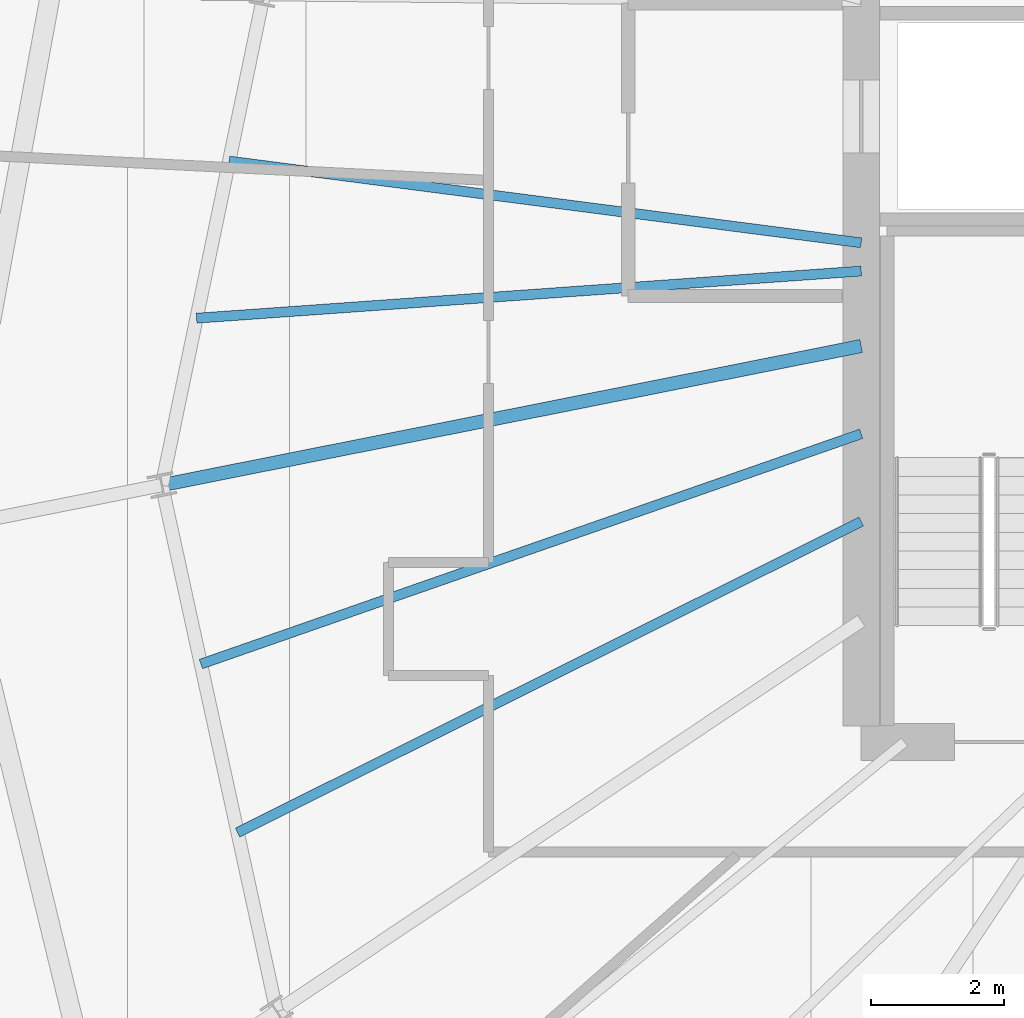
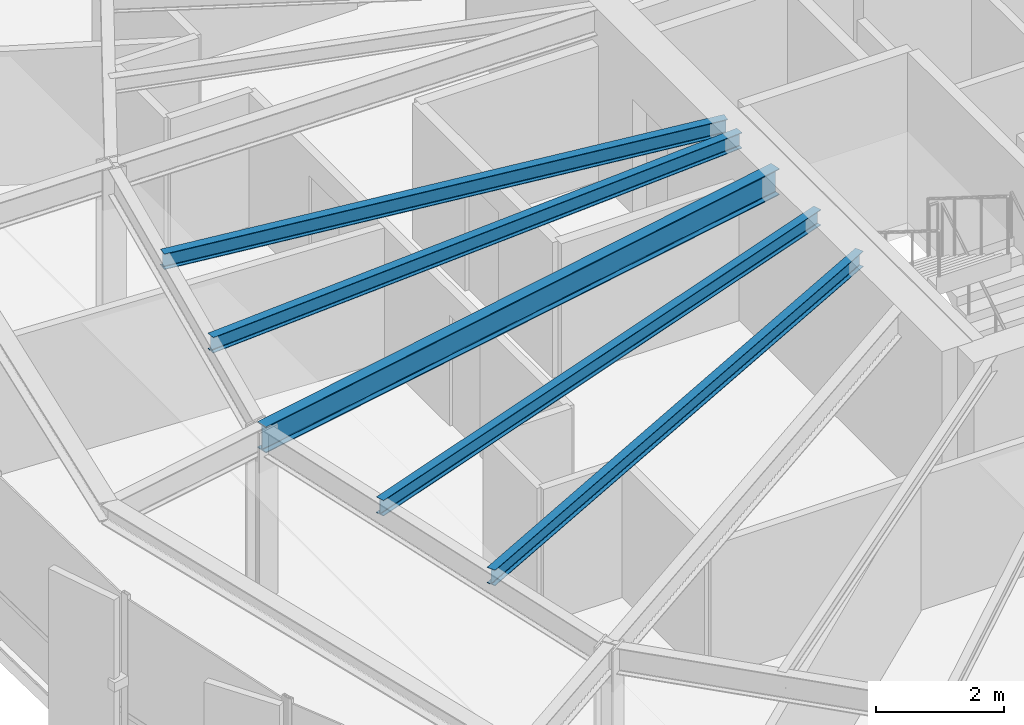
# One storey, part 11 of 37: 5 beams.
"""IFC4 building model written with IfcOpenShell, lengths in metres."""

from ifc_helpers import new_model, si_unit, direction, frame, origin, origin_2d, place, context, subcontext, project, spatial, i_section, extrude, source, transform, mapped, material, material_profile, profile_set, type_object, element, save


model = new_model("IFC4")

# Units and contexts
model_context = context("Model", 3, precision=1e-05, world=origin(), true_north=direction((0.0, 1.0)))
body_context = subcontext(model_context, "Body", "Model", "MODEL_VIEW")
ifc_project = project(units=[si_unit("LENGTHUNIT", "METRE"), si_unit("AREAUNIT", "SQUARE_METRE"), si_unit("VOLUMEUNIT", "CUBIC_METRE"), si_unit("PLANEANGLEUNIT", "RADIAN"), si_unit("MASSUNIT", "GRAM", prefix="KILO"), si_unit("THERMODYNAMICTEMPERATUREUNIT", "KELVIN")], contexts=[model_context])

# Site, building, storey
site_placement = place(None, origin())
site = spatial("IfcSite", under=ifc_project, at=site_placement, CompositionType="ELEMENT")
building_placement = place(site_placement, origin())
building = spatial("IfcBuilding", under=site, at=building_placement, Name="Kethvar Cultural Tower", CompositionType="ELEMENT")
storey_placement = place(building_placement, frame((0.0, 0.0, 200.89990234375)))
storey = spatial("IfcBuildingStorey", under=building, at=storey_placement, Name="L52", CompositionType="ELEMENT", Elevation=200.89990234375)

# Beams
ifc_material = material(Name="Steel S355J2", Category="steel")
ifc_material_profile_1 = material_profile(ifc_material, i_section(OverallWidth=0.199951171875, OverallDepth=0.5, WebThickness=0.01025390625, FlangeThickness=0.01611328125, FilletRadius=0.02099609375, at=origin_2d()), Name="Steel S355J2 — IPE500")
ifc_profile_set_1 = profile_set([ifc_material_profile_1], Name="Steel S355J2 — IPE500")
beam_type_1 = type_object("IfcBeamType", Name="BM-IPE500", PredefinedType="BEAM", material=ifc_profile_set_1)
shared_shape_1 = source(origin(), body_context, "Body", "SweptSolid", [
    extrude(i_section(OverallWidth=0.199951171875, OverallDepth=0.5, WebThickness=0.01025390625, FlangeThickness=0.01611328125, FilletRadius=0.02099609375, at=origin_2d()), origin(), (0.0, 0.0, 1.0), 10.712890625),
])
beam_1_placement = place(storey_placement, frame((38.0, 26.049560546875, 3.008056640625), z_axis=(-0.980787859831, -0.195077353908, 0.0), x_axis=(0.195077353908, -0.980787859831, 0.0)))
element("IfcBeam", 1, at=beam_1_placement, inside=storey, type_object=beam_type_1, Name="L52 Primary Radial Beam RB-09", PredefinedType="BEAM", context=body_context, shape_type="MappedRepresentation", body=[
    mapped(shared_shape_1, transform((0.0, 0.0, 0.0), scale=1.0)),
])
ifc_material_profile_2 = material_profile(ifc_material, i_section(OverallWidth=0.14990234375, OverallDepth=0.300048828125, WebThickness=0.007080078125, FlangeThickness=0.0107421875, FilletRadius=0.014892578125, at=origin_2d()), Name="Steel S355J2 — IPE300")
ifc_profile_set_2 = profile_set([ifc_material_profile_2], Name="Steel S355J2 — IPE300")
beam_type_2 = type_object("IfcBeamType", Name="BM-J300", PredefinedType="JOIST", material=ifc_profile_set_2)
shared_shape_2 = source(origin(), body_context, "Body", "SweptSolid", [
    extrude(i_section(OverallWidth=0.14990234375, OverallDepth=0.300048828125, WebThickness=0.007080078125, FlangeThickness=0.0107421875, FilletRadius=0.014892578125, at=origin_2d()), origin(), (0.0, 0.0, 1.0), 9.5751953125),
])
beam_2_placement = place(storey_placement, frame((38.0, 27.60009765625, 3.108154296875), z_axis=(-0.991744950922, 0.128226176424, 0.0), x_axis=(-0.128226176424, -0.991744950922, 0.0)))
element("IfcBeam", 2, at=beam_2_placement, inside=storey, type_object=beam_type_2, Name="L52 Composite Floor Joist J-08A", PredefinedType="JOIST", context=body_context, shape_type="MappedRepresentation", body=[
    mapped(shared_shape_2, transform((0.0, 0.0, 0.0), scale=1.0)),
])
shared_shape_3 = source(origin(), body_context, "Body", "SweptSolid", [
    extrude(i_section(OverallWidth=0.14990234375, OverallDepth=0.300048828125, WebThickness=0.007080078125, FlangeThickness=0.0107421875, FilletRadius=0.014892578125, at=origin_2d()), origin(), (0.0, 0.0, 1.0), 10.01123046875),
])
beam_3_placement = place(storey_placement, frame((38.0, 27.17578125, 3.108154296875), z_axis=(-0.997494349679, -0.070746182637, 0.0), x_axis=(0.070746182637, -0.997494349679, 0.0)))
element("IfcBeam", 3, at=beam_3_placement, inside=storey, type_object=beam_type_2, Name="L52 Composite Floor Joist J-08B", PredefinedType="JOIST", context=body_context, shape_type="MappedRepresentation", body=[
    mapped(shared_shape_3, transform((0.0, 0.0, 0.0), scale=1.0)),
])
shared_shape_4 = source(origin(), body_context, "Body", "SweptSolid", [
    extrude(i_section(OverallWidth=0.14990234375, OverallDepth=0.300048828125, WebThickness=0.007080078125, FlangeThickness=0.0107421875, FilletRadius=0.014892578125, at=origin_2d()), origin(), (0.0, 0.0, 1.0), 10.506591796875),
])
beam_4_placement = place(storey_placement, frame((38.0, 24.73095703125, 3.108154296875), z_axis=(-0.944221858738, -0.329310008171, 0.0), x_axis=(0.329310008171, -0.944221858738, 0.0)))
element("IfcBeam", 4, at=beam_4_placement, inside=storey, type_object=beam_type_2, Name="L52 Composite Floor Joist J-09A", PredefinedType="JOIST", context=body_context, shape_type="MappedRepresentation", body=[
    mapped(shared_shape_4, transform((0.0, 0.0, 0.0), scale=1.0)),
])
shared_shape_5 = source(origin(), body_context, "Body", "SweptSolid", [
    extrude(i_section(OverallWidth=0.14990234375, OverallDepth=0.300048828125, WebThickness=0.007080078125, FlangeThickness=0.0107421875, FilletRadius=0.014892578125, at=origin_2d()), origin(), (0.0, 0.0, 1.0), 10.468994140625),
])
beam_5_placement = place(storey_placement, frame((38.0, 23.412109375, 3.108154296875), z_axis=(-0.894916380948, -0.446233874904, 0.0), x_axis=(0.446233874904, -0.894916380948, 0.0)))
element("IfcBeam", 5, at=beam_5_placement, inside=storey, type_object=beam_type_2, Name="L52 Composite Floor Joist J-09B", PredefinedType="JOIST", context=body_context, shape_type="MappedRepresentation", body=[
    mapped(shared_shape_5, transform((0.0, 0.0, 0.0), scale=1.0)),
])

save(model, "model.ifc")
